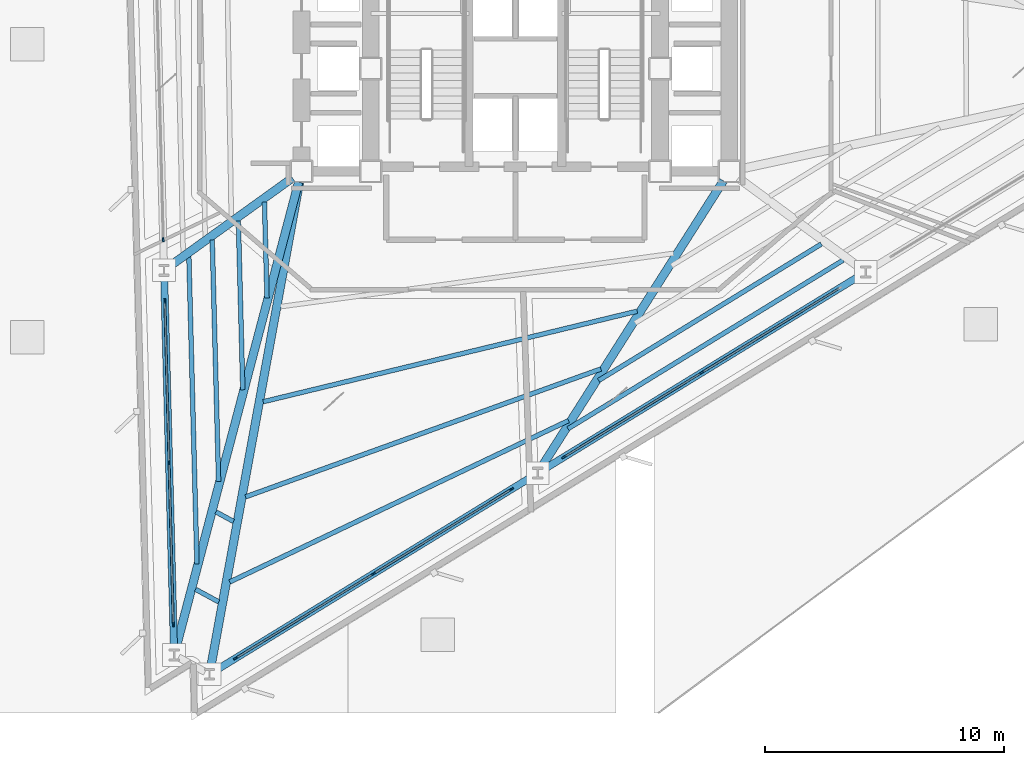
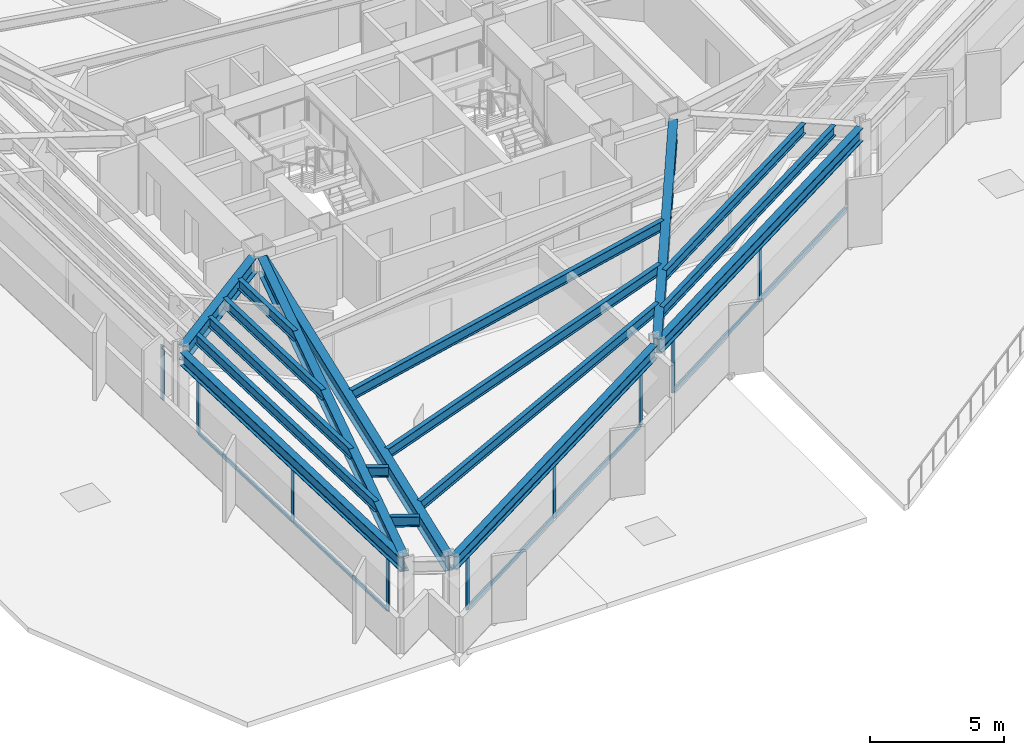
# One storey, part 2 of 13: 21 members, 18 beams, 4 elements without a shape of their own.
"""IFC4 building model written with IfcOpenShell, lengths in metres."""

from ifc_helpers import new_model, si_unit, direction, frame, origin, origin_2d, place, context, subcontext, project, spatial, rectangle, i_section, extrude, material, layer, layer_set, material_profile, profile_set, type_object, element, aggregate, save


model = new_model("IFC4")

# Units and contexts
model_context = context("Model", 3, precision=1e-05, world=origin(), true_north=direction((0.0, 1.0)))
body_context = subcontext(model_context, "Body", "Model", "MODEL_VIEW")
ifc_project = project(units=[si_unit("LENGTHUNIT", "METRE"), si_unit("AREAUNIT", "SQUARE_METRE"), si_unit("VOLUMEUNIT", "CUBIC_METRE"), si_unit("PLANEANGLEUNIT", "RADIAN"), si_unit("MASSUNIT", "GRAM", prefix="KILO")], contexts=[model_context])

# Site, building, storey
site_placement = place(None, origin())
site = spatial("IfcSite", under=ifc_project, at=site_placement, CompositionType="ELEMENT")
building_placement = place(site_placement, origin())
building = spatial("IfcBuilding", under=site, at=building_placement, Name="Rocaltana Carrier Exchange", CompositionType="ELEMENT")
storey_placement = place(building_placement, frame((0.0, 0.0, 18.8798828125)))
storey = spatial("IfcBuildingStorey", under=building, at=storey_placement, Name="L06", CompositionType="ELEMENT", Elevation=18.8798828125)

# Curtain wall, member
ifc_material_1 = material(Name="Aluminium 6063-T6", Category="aluminium")
ifc_layer = layer(ifc_material_1, 0.179931640625)
ifc_layer_set = layer_set([ifc_layer], Name="Aluminium 6063-T6")
curtain_wall_type = type_object("IfcCurtainWallType", Name="Sandstone Spandrel Unitised Curtain Wall CW-01", PredefinedType="NOTDEFINED", material=ifc_layer_set)
curtain_wall_1_placement = place(storey_placement, origin())
curtain_wall_1 = element("IfcCurtainWall", 1, at=curtain_wall_1_placement, inside=storey, type_object=curtain_wall_type, Name="L06 CW-01 Run CW-L06-F2S2", PredefinedType="NOTDEFINED")
ifc_material_2 = material(Name="Aluminium 6063-T6", Category="aluminium")
ifc_material_profile_1 = material_profile(ifc_material_2, rectangle(XDim=0.06494140625, YDim=0.179931640625, at=origin_2d()), Name="AL-65X180")
ifc_profile_set_1 = profile_set([ifc_material_profile_1], Name="Aluminium 6063-T6")
member_type_1 = type_object("IfcMemberType", Name="CW-01 Mullion AL-65X180", PredefinedType="MULLION", material=ifc_profile_set_1)
member_1_placement = place(storey_placement, frame((-14.733642578125, -7.155517578125, 0.0), z_axis=(0.0, 0.0, 1.0), x_axis=(0.99965733548, 0.026176547142, 0.0)))
member_1 = element("IfcMember", 2, at=member_1_placement, type_object=member_type_1, Name="CW-01 mullion 3", PredefinedType="MULLION", context=body_context, shape_type="SweptSolid", body=[
    extrude(rectangle(XDim=0.06494140625, YDim=0.179931640625, at=origin_2d()), origin(), (0.0, 0.0, 1.0), 2.47802734375),
])
aggregate(curtain_wall_1, [member_1])

# Curtain wall, members
curtain_wall_2_placement = place(storey_placement, origin())
curtain_wall_2 = element("IfcCurtainWall", 3, at=curtain_wall_2_placement, inside=storey, type_object=curtain_wall_type, Name="L06 CW-01 Run CW-L06-F2S3", PredefinedType="NOTDEFINED")
member_2_placement = place(storey_placement, frame((-14.66650390625, -9.7197265625, 0.0), z_axis=(0.0, 0.0, 1.0), x_axis=(0.999657143044, 0.026183895077, 0.0)))
member_2 = element("IfcMember", 4, at=member_2_placement, type_object=member_type_1, Name="CW-01 mullion 1", PredefinedType="MULLION", context=body_context, shape_type="SweptSolid", body=[
    extrude(rectangle(XDim=0.06494140625, YDim=0.179931640625, at=origin_2d()), origin(), (0.0, 0.0, 1.0), 2.47802734375),
])
member_3_placement = place(storey_placement, frame((-14.4892578125, -16.48486328125, 0.0), z_axis=(0.0, 0.0, 1.0), x_axis=(0.999657143044, 0.026183895077, 0.0)))
member_3 = element("IfcMember", 5, at=member_3_placement, type_object=member_type_1, Name="CW-01 mullion 2", PredefinedType="MULLION", context=body_context, shape_type="SweptSolid", body=[
    extrude(rectangle(XDim=0.06494140625, YDim=0.179931640625, at=origin_2d()), origin(), (0.0, 0.0, 1.0), 2.47802734375),
])
member_4_placement = place(storey_placement, frame((-14.31201171875, -23.25, 0.0), z_axis=(0.0, 0.0, 1.0), x_axis=(0.999657143044, 0.026183895077, 0.0)))
member_4 = element("IfcMember", 6, at=member_4_placement, type_object=member_type_1, Name="CW-01 mullion 3", PredefinedType="MULLION", context=body_context, shape_type="SweptSolid", body=[
    extrude(rectangle(XDim=0.06494140625, YDim=0.179931640625, at=origin_2d()), origin(), (0.0, 0.0, 1.0), 2.47802734375),
])

curtain_wall_3_placement = place(storey_placement, origin())
curtain_wall_3 = element("IfcCurtainWall", 7, at=curtain_wall_3_placement, inside=storey, type_object=curtain_wall_type, Name="L06 CW-01 Run CW-L06-F3S1", PredefinedType="NOTDEFINED")
member_5_placement = place(storey_placement, frame((-11.704345703125, -24.666015625, 0.0), z_axis=(0.0, 0.0, 1.0), x_axis=(-0.522505157925, 0.852636123996, 0.0)))
member_5 = element("IfcMember", 8, at=member_5_placement, type_object=member_type_1, Name="CW-01 mullion 1", PredefinedType="MULLION", context=body_context, shape_type="SweptSolid", body=[
    extrude(rectangle(XDim=0.06494140625, YDim=0.179931640625, at=origin_2d()), origin(), (0.0, 0.0, 1.0), 2.47802734375),
])
member_6_placement = place(storey_placement, frame((-5.93408203125, -21.130126953125, 0.0), z_axis=(0.0, 0.0, 1.0), x_axis=(-0.522505157925, 0.852636123996, 0.0)))
member_6 = element("IfcMember", 9, at=member_6_placement, type_object=member_type_1, Name="CW-01 mullion 2", PredefinedType="MULLION", context=body_context, shape_type="SweptSolid", body=[
    extrude(rectangle(XDim=0.06494140625, YDim=0.179931640625, at=origin_2d()), origin(), (0.0, 0.0, 1.0), 2.47802734375),
])
member_7_placement = place(storey_placement, frame((-0.163818359375, -17.593994140625, 0.0), z_axis=(0.0, 0.0, 1.0), x_axis=(-0.522505157925, 0.852636123996, 0.0)))
member_7 = element("IfcMember", 10, at=member_7_placement, type_object=member_type_1, Name="CW-01 mullion 3", PredefinedType="MULLION", context=body_context, shape_type="SweptSolid", body=[
    extrude(rectangle(XDim=0.06494140625, YDim=0.179931640625, at=origin_2d()), origin(), (0.0, 0.0, 1.0), 2.47802734375),
])

curtain_wall_4_placement = place(storey_placement, origin())
curtain_wall_4 = element("IfcCurtainWall", 11, at=curtain_wall_4_placement, inside=storey, type_object=curtain_wall_type, Name="L06 CW-01 Run CW-L06-F3S2", PredefinedType="NOTDEFINED")
member_8_placement = place(storey_placement, frame((2.023193359375, -16.25390625, 0.0), z_axis=(0.0, 0.0, 1.0), x_axis=(-0.522499812415, 0.852639399762, 0.0)))
member_8 = element("IfcMember", 12, at=member_8_placement, type_object=member_type_1, Name="CW-01 mullion 1", PredefinedType="MULLION", context=body_context, shape_type="SweptSolid", body=[
    extrude(rectangle(XDim=0.06494140625, YDim=0.179931640625, at=origin_2d()), origin(), (0.0, 0.0, 1.0), 2.47802734375),
])
member_9_placement = place(storey_placement, frame((7.79345703125, -12.7177734375, 0.0), z_axis=(0.0, 0.0, 1.0), x_axis=(-0.522499812415, 0.852639399762, 0.0)))
member_9 = element("IfcMember", 13, at=member_9_placement, type_object=member_type_1, Name="CW-01 mullion 2", PredefinedType="MULLION", context=body_context, shape_type="SweptSolid", body=[
    extrude(rectangle(XDim=0.06494140625, YDim=0.179931640625, at=origin_2d()), origin(), (0.0, 0.0, 1.0), 2.47802734375),
])

# Member
ifc_material_3 = material(Name="Aluminium 6063-T6", Category="aluminium")
ifc_material_profile_2 = material_profile(ifc_material_3, rectangle(XDim=0.06494140625, YDim=0.179931640625, at=origin_2d()), Name="AL-65X180")
ifc_profile_set_2 = profile_set([ifc_material_profile_2], Name="Aluminium 6063-T6")
member_type_2 = type_object("IfcMemberType", Name="CW-01 Transom AL-65X180", PredefinedType="USERDEFINED", material=ifc_profile_set_2)
member_10_placement = place(storey_placement, frame((-14.66552734375, -9.752197265625, 0.03271484375), z_axis=(0.026189818331, -0.999656987879, 0.0), x_axis=(0.999656987879, 0.026189818331, 0.0)))
member_10 = element("IfcMember", 14, at=member_10_placement, type_object=member_type_2, Name="CW-01 transom 1.1", ObjectType="TRANSOM", PredefinedType="USERDEFINED", context=body_context, shape_type="SweptSolid", body=[
    extrude(rectangle(XDim=0.06494140625, YDim=0.179931640625, at=origin_2d()), origin(), (0.0, 0.0, 1.0), 6.702392578125),
])

member_11_placement = place(storey_placement, frame((-14.66552734375, -9.752197265625, 2.445556640625), z_axis=(0.026189818331, -0.999656987879, 0.0), x_axis=(0.999656987879, 0.026189818331, 0.0)))
member_11 = element("IfcMember", 15, at=member_11_placement, type_object=member_type_2, Name="CW-01 transom 1.2", ObjectType="TRANSOM", PredefinedType="USERDEFINED", context=body_context, shape_type="SweptSolid", body=[
    extrude(rectangle(XDim=0.06494140625, YDim=0.179931640625, at=origin_2d()), origin(), (0.0, 0.0, 1.0), 6.702392578125),
])

member_12_placement = place(storey_placement, frame((-14.48828125, -16.517333984375, 0.03271484375), z_axis=(0.026153417925, -0.999657940863, 0.0), x_axis=(0.999657940863, 0.026153417925, 0.0)))
member_12 = element("IfcMember", 16, at=member_12_placement, type_object=member_type_2, Name="CW-01 transom 2.1", ObjectType="TRANSOM", PredefinedType="USERDEFINED", context=body_context, shape_type="SweptSolid", body=[
    extrude(rectangle(XDim=0.06494140625, YDim=0.179931640625, at=origin_2d()), origin(), (0.0, 0.0, 1.0), 6.702392578125),
])

member_13_placement = place(storey_placement, frame((-14.48828125, -16.517333984375, 2.445556640625), z_axis=(0.026153417925, -0.999657940863, 0.0), x_axis=(0.999657940863, 0.026153417925, 0.0)))
member_13 = element("IfcMember", 17, at=member_13_placement, type_object=member_type_2, Name="CW-01 transom 2.2", ObjectType="TRANSOM", PredefinedType="USERDEFINED", context=body_context, shape_type="SweptSolid", body=[
    extrude(rectangle(XDim=0.06494140625, YDim=0.179931640625, at=origin_2d()), origin(), (0.0, 0.0, 1.0), 6.702392578125),
])

aggregate(curtain_wall_2, [member_2, member_3, member_4, member_10, member_11, member_12, member_13])

member_14_placement = place(storey_placement, frame((-11.676513671875, -24.649169921875, 0.03271484375), z_axis=(0.85263109068, 0.522513371318, 0.0), x_axis=(-0.522513371318, 0.85263109068, 0.0)))
member_14 = element("IfcMember", 18, at=member_14_placement, type_object=member_type_2, Name="CW-01 transom 1.1", ObjectType="TRANSOM", PredefinedType="USERDEFINED", context=body_context, shape_type="SweptSolid", body=[
    extrude(rectangle(XDim=0.06494140625, YDim=0.179931640625, at=origin_2d()), origin(), (0.0, 0.0, 1.0), 6.70263671875),
])

member_15_placement = place(storey_placement, frame((-11.676513671875, -24.649169921875, 2.445556640625), z_axis=(0.85263109068, 0.522513371318, 0.0), x_axis=(-0.522513371318, 0.85263109068, 0.0)))
member_15 = element("IfcMember", 19, at=member_15_placement, type_object=member_type_2, Name="CW-01 transom 1.2", ObjectType="TRANSOM", PredefinedType="USERDEFINED", context=body_context, shape_type="SweptSolid", body=[
    extrude(rectangle(XDim=0.06494140625, YDim=0.179931640625, at=origin_2d()), origin(), (0.0, 0.0, 1.0), 6.70263671875),
])

member_16_placement = place(storey_placement, frame((-5.90625, -21.113037109375, 0.03271484375), z_axis=(0.85264731822, 0.522486890488, 0.0), x_axis=(-0.522486890488, 0.85264731822, 0.0)))
member_16 = element("IfcMember", 20, at=member_16_placement, type_object=member_type_2, Name="CW-01 transom 2.1", ObjectType="TRANSOM", PredefinedType="USERDEFINED", context=body_context, shape_type="SweptSolid", body=[
    extrude(rectangle(XDim=0.06494140625, YDim=0.179931640625, at=origin_2d()), origin(), (0.0, 0.0, 1.0), 6.702392578125),
])

member_17_placement = place(storey_placement, frame((-5.90625, -21.113037109375, 2.445556640625), z_axis=(0.85264731822, 0.522486890488, 0.0), x_axis=(-0.522486890488, 0.85264731822, 0.0)))
member_17 = element("IfcMember", 21, at=member_17_placement, type_object=member_type_2, Name="CW-01 transom 2.2", ObjectType="TRANSOM", PredefinedType="USERDEFINED", context=body_context, shape_type="SweptSolid", body=[
    extrude(rectangle(XDim=0.06494140625, YDim=0.179931640625, at=origin_2d()), origin(), (0.0, 0.0, 1.0), 6.702392578125),
])

aggregate(curtain_wall_3, [member_5, member_6, member_7, member_14, member_15, member_16, member_17])

member_18_placement = place(storey_placement, frame((2.051025390625, -16.23681640625, 0.03271484375), z_axis=(0.852637373876, 0.522503118335, 0.0), x_axis=(-0.522503118335, 0.852637373876, 0.0)))
member_18 = element("IfcMember", 22, at=member_18_placement, type_object=member_type_2, Name="CW-01 transom 1.1", ObjectType="TRANSOM", PredefinedType="USERDEFINED", context=body_context, shape_type="SweptSolid", body=[
    extrude(rectangle(XDim=0.06494140625, YDim=0.179931640625, at=origin_2d()), origin(), (0.0, 0.0, 1.0), 6.7021484375),
])

member_19_placement = place(storey_placement, frame((2.051025390625, -16.23681640625, 2.445556640625), z_axis=(0.852637373876, 0.522503118335, 0.0), x_axis=(-0.522503118335, 0.852637373876, 0.0)))
member_19 = element("IfcMember", 23, at=member_19_placement, type_object=member_type_2, Name="CW-01 transom 1.2", ObjectType="TRANSOM", PredefinedType="USERDEFINED", context=body_context, shape_type="SweptSolid", body=[
    extrude(rectangle(XDim=0.06494140625, YDim=0.179931640625, at=origin_2d()), origin(), (0.0, 0.0, 1.0), 6.7021484375),
])

member_20_placement = place(storey_placement, frame((7.821044921875, -12.700927734375, 0.03271484375), z_axis=(0.85263109068, 0.522513371318, 0.0), x_axis=(-0.522513371318, 0.85263109068, 0.0)))
member_20 = element("IfcMember", 24, at=member_20_placement, type_object=member_type_2, Name="CW-01 transom 2.1", ObjectType="TRANSOM", PredefinedType="USERDEFINED", context=body_context, shape_type="SweptSolid", body=[
    extrude(rectangle(XDim=0.06494140625, YDim=0.179931640625, at=origin_2d()), origin(), (0.0, 0.0, 1.0), 6.70263671875),
])

member_21_placement = place(storey_placement, frame((7.821044921875, -12.700927734375, 2.445556640625), z_axis=(0.85263109068, 0.522513371318, 0.0), x_axis=(-0.522513371318, 0.85263109068, 0.0)))
member_21 = element("IfcMember", 25, at=member_21_placement, type_object=member_type_2, Name="CW-01 transom 2.2", ObjectType="TRANSOM", PredefinedType="USERDEFINED", context=body_context, shape_type="SweptSolid", body=[
    extrude(rectangle(XDim=0.06494140625, YDim=0.179931640625, at=origin_2d()), origin(), (0.0, 0.0, 1.0), 6.70263671875),
])

aggregate(curtain_wall_4, [member_8, member_9, member_18, member_19, member_20, member_21])

# Beams
ifc_material_4 = material(Name="Steel S355", Category="steel")
ifc_material_profile_3 = material_profile(ifc_material_4, i_section(OverallWidth=0.193115234375, OverallDepth=0.466064453125, WebThickness=0.011474609375, FlangeThickness=0.01904296875, FilletRadius=0.013916015625, at=origin_2d()), Name="W18X65")
ifc_profile_set_3 = profile_set([ifc_material_profile_3], Name="Steel S355")
beam_type_1 = type_object("IfcBeamType", Name="Floor Joist W18X65", PredefinedType="JOIST", material=ifc_profile_set_3)
beam_1_placement = place(storey_placement, frame((-10.498046875, -5.588623046875, 2.865234375), z_axis=(0.02615756085, -0.999657832466, 0.0), x_axis=(0.999657832466, 0.02615756085, 0.0)))
element("IfcBeam", 26, at=beam_1_placement, inside=storey, type_object=beam_type_1, Name="FJ-L06-07-1", PredefinedType="JOIST", context=body_context, shape_type="SweptSolid", body=[
    extrude(i_section(OverallWidth=0.193115234375, OverallDepth=0.466064453125, WebThickness=0.011474609375, FlangeThickness=0.01904296875, FilletRadius=0.013916015625, at=origin_2d()), origin(), (0.0, 0.0, 1.0), 4.004150390625),
])
beam_2_placement = place(storey_placement, frame((-11.590576171875, -6.374755859375, 2.865234375), z_axis=(0.026201236861, -0.999656688662, 0.0), x_axis=(0.999656688662, 0.026201236861, 0.0)))
element("IfcBeam", 27, at=beam_2_placement, inside=storey, type_object=beam_type_1, Name="FJ-L06-07-2", PredefinedType="JOIST", context=body_context, shape_type="SweptSolid", body=[
    extrude(i_section(OverallWidth=0.193115234375, OverallDepth=0.466064453125, WebThickness=0.011474609375, FlangeThickness=0.01904296875, FilletRadius=0.013916015625, at=origin_2d()), origin(), (0.0, 0.0, 1.0), 7.06298828125),
])
beam_3_placement = place(storey_placement, frame((-12.68310546875, -7.160888671875, 2.865234375), z_axis=(0.026193779282, -0.999656884099, 0.0), x_axis=(0.999656884099, 0.026193779282, 0.0)))
element("IfcBeam", 28, at=beam_3_placement, inside=storey, type_object=beam_type_1, Name="FJ-L06-07-3", PredefinedType="JOIST", context=body_context, shape_type="SweptSolid", body=[
    extrude(i_section(OverallWidth=0.193115234375, OverallDepth=0.466064453125, WebThickness=0.011474609375, FlangeThickness=0.01904296875, FilletRadius=0.013916015625, at=origin_2d()), origin(), (0.0, 0.0, 1.0), 10.1220703125),
])
beam_4_placement = place(storey_placement, frame((-13.660400390625, -7.864501953125, 2.865234375), z_axis=(0.026162886521, -0.999657693097, 0.0), x_axis=(0.999657693097, 0.026162886521, 0.0)))
element("IfcBeam", 29, at=beam_4_placement, inside=storey, type_object=beam_type_1, Name="FJ-L06-07-4", PredefinedType="JOIST", context=body_context, shape_type="SweptSolid", body=[
    extrude(i_section(OverallWidth=0.193115234375, OverallDepth=0.466064453125, WebThickness=0.011474609375, FlangeThickness=0.01904296875, FilletRadius=0.013916015625, at=origin_2d()), origin(), (0.0, 0.0, 1.0), 12.85888671875),
])
beam_5_placement = place(storey_placement, frame((-12.529296875, -18.54443359375, 2.865234375), z_axis=(0.878797482276, -0.477194913159, 0.0), x_axis=(0.477194913159, 0.878797482276, 0.0)))
element("IfcBeam", 30, at=beam_5_placement, inside=storey, type_object=beam_type_1, Name="FJ-L06-08-3", PredefinedType="JOIST", context=body_context, shape_type="SweptSolid", body=[
    extrude(i_section(OverallWidth=0.193115234375, OverallDepth=0.466064453125, WebThickness=0.011474609375, FlangeThickness=0.01904296875, FilletRadius=0.013916015625, at=origin_2d()), origin(), (0.0, 0.0, 1.0), 0.83642578125),
])
beam_6_placement = place(storey_placement, frame((-13.3818359375, -21.781494140625, 2.865234375), z_axis=(0.878771440965, -0.477242867462, 0.0), x_axis=(0.477242867462, 0.878771440965, 0.0)))
element("IfcBeam", 31, at=beam_6_placement, inside=storey, type_object=beam_type_1, Name="FJ-L06-08-4", PredefinedType="JOIST", context=body_context, shape_type="SweptSolid", body=[
    extrude(i_section(OverallWidth=0.193115234375, OverallDepth=0.466064453125, WebThickness=0.011474609375, FlangeThickness=0.01904296875, FilletRadius=0.013916015625, at=origin_2d()), origin(), (0.0, 0.0, 1.0), 1.10595703125),
])
beam_7_placement = place(storey_placement, frame((-10.55322265625, -13.936279296875, 2.865234375), z_axis=(0.971913306863, 0.235339167889, 0.0), x_axis=(-0.235339167889, 0.971913306863, 0.0)))
element("IfcBeam", 32, at=beam_7_placement, inside=storey, type_object=beam_type_1, Name="FJ-L06-09-2", PredefinedType="JOIST", context=body_context, shape_type="SweptSolid", body=[
    extrude(i_section(OverallWidth=0.193115234375, OverallDepth=0.466064453125, WebThickness=0.011474609375, FlangeThickness=0.01904296875, FilletRadius=0.013916015625, at=origin_2d()), origin(), (0.0, 0.0, 1.0), 16.099365234375),
])
beam_8_placement = place(storey_placement, frame((-11.289794921875, -17.915283203125, 2.865234375), z_axis=(0.940885835943, 0.338723845813, 0.0), x_axis=(-0.338723845813, 0.940885835943, 0.0)))
element("IfcBeam", 33, at=beam_8_placement, inside=storey, type_object=beam_type_1, Name="FJ-L06-09-3", PredefinedType="JOIST", context=body_context, shape_type="SweptSolid", body=[
    extrude(i_section(OverallWidth=0.193115234375, OverallDepth=0.466064453125, WebThickness=0.011474609375, FlangeThickness=0.01904296875, FilletRadius=0.013916015625, at=origin_2d()), origin(), (0.0, 0.0, 1.0), 15.799072265625),
])
beam_9_placement = place(storey_placement, frame((-11.950439453125, -21.475830078125, 2.865234375), z_axis=(0.902777117636, 0.430108679141, 0.0), x_axis=(-0.430108679141, 0.902777117636, 0.0)))
element("IfcBeam", 34, at=beam_9_placement, inside=storey, type_object=beam_type_1, Name="FJ-L06-09-4", PredefinedType="JOIST", context=body_context, shape_type="SweptSolid", body=[
    extrude(i_section(OverallWidth=0.193115234375, OverallDepth=0.466064453125, WebThickness=0.011474609375, FlangeThickness=0.01904296875, FilletRadius=0.013916015625, at=origin_2d()), origin(), (0.0, 0.0, 1.0), 15.69482421875),
])
beam_10_placement = place(storey_placement, frame((3.48193359375, -13.047119140625, 2.865234375), z_axis=(0.852647168541, 0.52248713475, 0.0), x_axis=(-0.52248713475, 0.852647168541, 0.0)))
element("IfcBeam", 35, at=beam_10_placement, inside=storey, type_object=beam_type_1, Name="FJ-L06-10-3", PredefinedType="JOIST", context=body_context, shape_type="SweptSolid", body=[
    extrude(i_section(OverallWidth=0.193115234375, OverallDepth=0.466064453125, WebThickness=0.011474609375, FlangeThickness=0.01904296875, FilletRadius=0.013916015625, at=origin_2d()), origin(), (0.0, 0.0, 1.0), 10.927001953125),
])
beam_11_placement = place(storey_placement, frame((2.19873046875, -15.06689453125, 2.865234375), z_axis=(0.852643866126, 0.522492523926, 0.0), x_axis=(-0.522492523926, 0.852643866126, 0.0)))
element("IfcBeam", 36, at=beam_11_placement, inside=storey, type_object=beam_type_1, Name="FJ-L06-10-4", PredefinedType="JOIST", context=body_context, shape_type="SweptSolid", body=[
    extrude(i_section(OverallWidth=0.193115234375, OverallDepth=0.466064453125, WebThickness=0.011474609375, FlangeThickness=0.01904296875, FilletRadius=0.013916015625, at=origin_2d()), origin(), (0.0, 0.0, 1.0), 13.5029296875),
])
ifc_material_5 = material(Name="Steel S355", Category="steel")
ifc_material_profile_4 = material_profile(ifc_material_5, i_section(OverallWidth=0.35498046875, OverallDepth=0.695068359375, WebThickness=0.015380859375, FlangeThickness=0.02490234375, FilletRadius=0.01806640625, at=origin_2d()), Name="W27X146")
ifc_profile_set_4 = profile_set([ifc_material_profile_4], Name="Steel S355")
beam_type_2 = type_object("IfcBeamType", Name="Radial Girder W27X146", PredefinedType="BEAM", material=ifc_profile_set_4)
beam_12_placement = place(storey_placement, frame((-9.3291015625, -4.57275390625, 2.750732421875), z_axis=(-0.811692545501, -0.584084935243, 0.0), x_axis=(0.584084935243, -0.811692545501, 0.0)))
element("IfcBeam", 37, at=beam_12_placement, inside=storey, type_object=beam_type_2, Name="RG-L06-07", PredefinedType="BEAM", context=body_context, shape_type="SweptSolid", body=[
    extrude(i_section(OverallWidth=0.35498046875, OverallDepth=0.695068359375, WebThickness=0.015380859375, FlangeThickness=0.02490234375, FilletRadius=0.01806640625, at=origin_2d()), origin(), (0.0, 0.0, 1.0), 6.408935546875),
])
beam_13_placement = place(storey_placement, frame((-9.06884765625, -4.751708984375, 2.750732421875), z_axis=(-0.254690940401, -0.967022504845, 0.0), x_axis=(0.967022504845, -0.254690940401, 0.0)))
element("IfcBeam", 38, at=beam_13_placement, inside=storey, type_object=beam_type_2, Name="RG-L06-08", PredefinedType="BEAM", context=body_context, shape_type="SweptSolid", body=[
    extrude(i_section(OverallWidth=0.35498046875, OverallDepth=0.695068359375, WebThickness=0.015380859375, FlangeThickness=0.02490234375, FilletRadius=0.01806640625, at=origin_2d()), origin(), (0.0, 0.0, 1.0), 20.2470703125),
])
beam_14_placement = place(storey_placement, frame((-9.033935546875, -4.759521484375, 2.750732421875), z_axis=(-0.179939319747, -0.983677712063, 0.0), x_axis=(0.983677712063, -0.179939319747, 0.0)))
element("IfcBeam", 39, at=beam_14_placement, inside=storey, type_object=beam_type_2, Name="RG-L06-09", PredefinedType="BEAM", context=body_context, shape_type="SweptSolid", body=[
    extrude(i_section(OverallWidth=0.35498046875, OverallDepth=0.695068359375, WebThickness=0.015380859375, FlangeThickness=0.02490234375, FilletRadius=0.01806640625, at=origin_2d()), origin(), (0.0, 0.0, 1.0), 20.710205078125),
])
beam_15_placement = place(storey_placement, frame((8.69970703125, -4.694091796875, 2.750732421875), z_axis=(-0.536257007231, -0.84405475071, 0.0), x_axis=(0.84405475071, -0.536257007231, 0.0)))
element("IfcBeam", 40, at=beam_15_placement, inside=storey, type_object=beam_type_2, Name="RG-L06-10", PredefinedType="BEAM", context=body_context, shape_type="SweptSolid", body=[
    extrude(i_section(OverallWidth=0.35498046875, OverallDepth=0.695068359375, WebThickness=0.015380859375, FlangeThickness=0.02490234375, FilletRadius=0.01806640625, at=origin_2d()), origin(), (0.0, 0.0, 1.0), 14.28125),
])
ifc_material_6 = material(Name="Steel S355", Category="steel")
ifc_material_profile_5 = material_profile(ifc_material_6, i_section(OverallWidth=0.300048828125, OverallDepth=0.60009765625, WebThickness=0.015380859375, FlangeThickness=0.030029296875, FilletRadius=0.027099609375, at=origin_2d()), Name="HEB600")
ifc_profile_set_5 = profile_set([ifc_material_profile_5], Name="Steel S355")
beam_type_3 = type_object("IfcBeamType", Name="Spandrel Edge Beam HEB600", PredefinedType="SPANDREL", material=ifc_profile_set_5)
for number, where, z_axis, x_axis, name in (
    (41, (-14.694580078125, -8.6455078125, 2.798095703125), (0.026182238984, -0.99965718642, 0.0), (0.99965718642, 0.026182238984, 0.0), "SP-L06-07"),
    (42, (-12.62060546875, -25.2275390625, 2.798095703125), (0.852645545454, 0.522489783458, 0.0), (-0.522489783458, 0.852645545454, 0.0), "SP-L06-09"),
    (43, (1.10693359375, -16.815185546875, 2.798095703125), (0.852645545454, 0.522489783458, 0.0), (-0.522489783458, 0.852645545454, 0.0), "SP-L06-10"),
):
    element("IfcBeam", number, at=place(storey_placement, frame(where, z_axis=z_axis, x_axis=x_axis)), inside=storey, type_object=beam_type_3, Name=name, PredefinedType="SPANDREL", context=body_context, shape_type="SweptSolid", body=[
        extrude(i_section(OverallWidth=0.300048828125, OverallDepth=0.60009765625, WebThickness=0.015380859375, FlangeThickness=0.030029296875, FilletRadius=0.027099609375, at=origin_2d()), origin(), (0.0, 0.0, 1.0), 15.68408203125),
    ])

save(model, "model.ifc")
